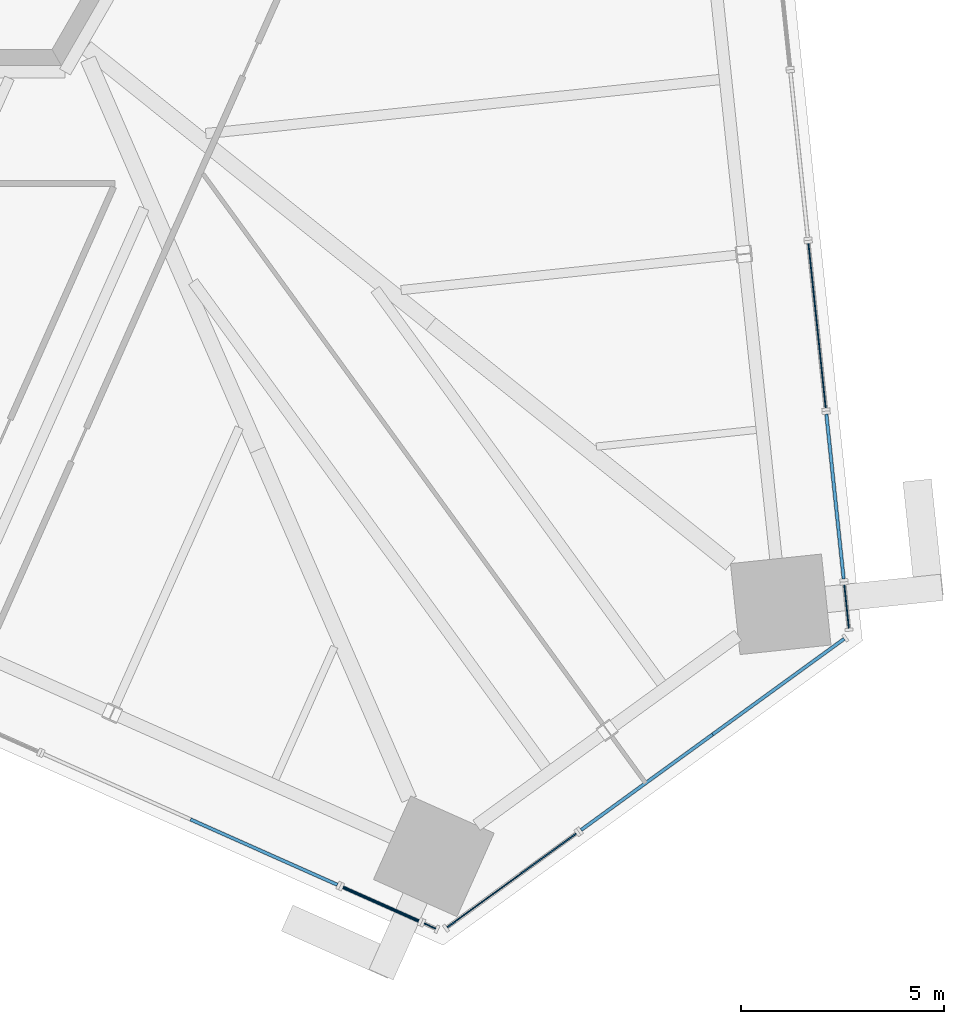
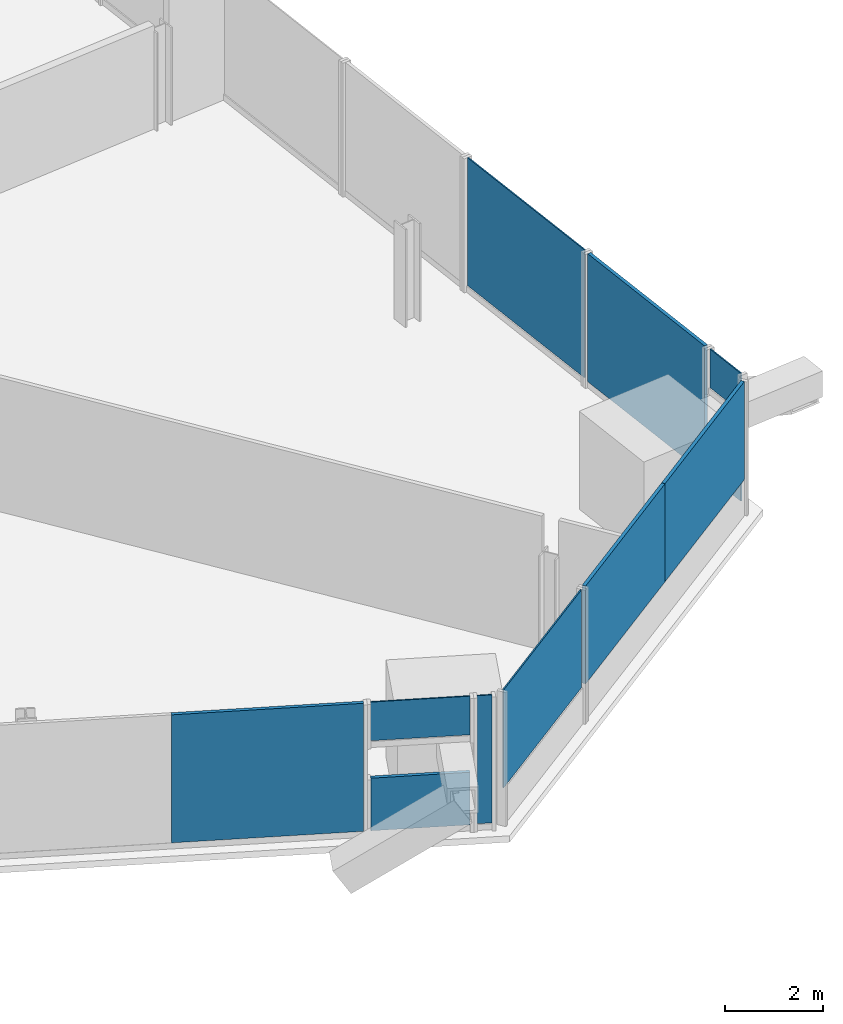
# One storey, part 13 of 25: 11 plates, 10 elements without a shape of their own.
"""IFC4 building model written with IfcOpenShell, lengths in metres."""

from ifc_helpers import new_model, si_unit, direction, frame, origin, origin_2d, place, context, subcontext, project, spatial, rectangle, extrude, source, transform, mapped, material, layer, layer_set, type_object, element, aggregate, save


model = new_model("IFC4")

# Units and contexts
model_context = context("Model", 3, precision=1e-05, world=origin(), true_north=direction((0.0, 1.0)))
body_context = subcontext(model_context, "Body", "Model", "MODEL_VIEW")
ifc_project = project(units=[si_unit("LENGTHUNIT", "METRE"), si_unit("AREAUNIT", "SQUARE_METRE"), si_unit("VOLUMEUNIT", "CUBIC_METRE"), si_unit("PLANEANGLEUNIT", "RADIAN"), si_unit("MASSUNIT", "GRAM", prefix="KILO")], contexts=[model_context])

# Site, building, storey
site_placement = place(None, origin())
site = spatial("IfcSite", under=ifc_project, at=site_placement, CompositionType="ELEMENT")
building_placement = place(site_placement, origin())
building = spatial("IfcBuilding", under=site, at=building_placement, Name="Triune Harvest Tower", CompositionType="ELEMENT")
storey_placement = place(building_placement, frame((0.0, 0.0, 90.89990234375)))
storey = spatial("IfcBuildingStorey", under=building, at=storey_placement, Name="L22", CompositionType="ELEMENT", Elevation=90.89990234375)

# Curtain wall, plate
ifc_material_1 = material(Name="Aluminium bronze anodised", Category="aluminium")
curtain_wall_type_1 = type_object("IfcCurtainWallType", Name="CW-6 Balcony window wall", PredefinedType="NOTDEFINED", material=ifc_material_1)
curtain_wall_1_placement = place(storey_placement, origin())
curtain_wall_1 = element("IfcCurtainWall", 1, at=curtain_wall_1_placement, inside=storey, type_object=curtain_wall_type_1, Name="CW-6 B2-F5 L22 run 202")
ifc_material_2 = material(Name="Glass", Category="glass")
ifc_layer_1 = layer(ifc_material_2, 0.030029296875)
ifc_layer_set_1 = layer_set([ifc_layer_1], Name="Glass")
plate_type_1 = type_object("IfcPlateType", Name="GL-6 panel 30", PredefinedType="CURTAIN_PANEL", material=ifc_layer_set_1)
plate_1_placement = place(storey_placement, frame((13.8583984375, -31.015869140625, 2.38525390625), z_axis=(0.0, 0.0, 1.0), x_axis=(0.913546137446, -0.40673511621, 0.0)))
plate_1 = element("IfcPlate", 2, at=plate_1_placement, type_object=plate_type_1, Name="CW-6 panel B2-F5 202.1", PredefinedType="CURTAIN_PANEL", context=body_context, shape_type="SweptSolid", body=[
    extrude(rectangle(XDim=2.042236328125, YDim=0.030029296875, at=origin_2d()), origin(), (0.0, 0.0, 1.0), 0.965087890625),
])
aggregate(curtain_wall_1, [plate_1])

curtain_wall_2_placement = place(storey_placement, origin())
curtain_wall_2 = element("IfcCurtainWall", 3, at=curtain_wall_2_placement, inside=storey, type_object=curtain_wall_type_1, Name="CW-6 B2-F5 L22 run 302")
plate_2_placement = place(storey_placement, frame((15.066162109375, -31.5537109375, 0.14990234375), z_axis=(0.0, 0.0, 1.0), x_axis=(0.913537564459, -0.406754370993, 0.0)))
plate_2 = element("IfcPlate", 4, at=plate_2_placement, type_object=plate_type_1, Name="CW-6 panel B2-F5 302.1", PredefinedType="CURTAIN_PANEL", context=body_context, shape_type="SweptSolid", body=[
    extrude(rectangle(XDim=0.3017578125, YDim=0.030029296875, at=origin_2d()), origin(), (0.0, 0.0, 1.0), 3.199951171875),
])
aggregate(curtain_wall_2, [plate_2])

ifc_material_3 = material(Name="Aluminium bronze anodised", Category="aluminium")
curtain_wall_type_2 = type_object("IfcCurtainWallType", Name="CW-10 Balcony window wall with insulated spandrel infill", PredefinedType="NOTDEFINED", material=ifc_material_3)
curtain_wall_3_placement = place(storey_placement, origin())
curtain_wall_3 = element("IfcCurtainWall", 5, at=curtain_wall_3_placement, inside=storey, type_object=curtain_wall_type_2, Name="CW-10 B2-F5 L22 run 102")
ifc_material_4 = material(Name="Insulated spandrel panel, bronze aluminium pan", Category="aluminium")
ifc_layer_2 = layer(ifc_material_4, 0.080078125)
ifc_layer_set_2 = layer_set([ifc_layer_2], Name="Insulated spandrel panel, bronze aluminium pan")
plate_type_2 = type_object("IfcPlateType", Name="SP-1 insulated spandrel panel 80", PredefinedType="CURTAIN_PANEL", material=ifc_layer_set_2)
plate_3_placement = place(storey_placement, frame((13.8583984375, -31.015869140625, 0.150146484375), z_axis=(0.0, 0.0, 1.0), x_axis=(0.913546137446, -0.40673511621, 0.0)))
plate_3 = element("IfcPlate", 6, at=plate_3_placement, type_object=plate_type_2, Name="CW-10 panel B2-F5 102.1", PredefinedType="CURTAIN_PANEL", context=body_context, shape_type="SweptSolid", body=[
    extrude(rectangle(XDim=2.042236328125, YDim=0.080078125, at=origin_2d()), origin(), (0.0, 0.0, 1.0), 1.31494140625),
])
aggregate(curtain_wall_3, [plate_3])

curtain_wall_4_placement = place(storey_placement, origin())
curtain_wall_4 = element("IfcCurtainWall", 7, at=curtain_wall_4_placement, inside=storey, type_object=curtain_wall_type_1, Name="CW-6 B2-F1 L22 run 1")
shared_shape_1 = source(origin(), body_context, "Body", "SweptSolid", [
    extrude(rectangle(XDim=1.07177734375, YDim=0.030029296875, at=origin_2d()), origin(), (0.0, 0.0, 1.0), 1.31494140625),
])
plate_4_placement = place(storey_placement, frame((25.313232421875, -23.696533203125, 0.150146484375), z_axis=(0.0, 0.0, 1.0), x_axis=(-0.104518622429, 0.994522929633, 0.0)))
plate_4 = element("IfcPlate", 8, at=plate_4_placement, type_object=plate_type_1, Name="CW-6 panel B2-F1 1.1", PredefinedType="CURTAIN_PANEL", context=body_context, shape_type="MappedRepresentation", body=[
    mapped(shared_shape_1, transform((0.0, 0.0, 0.0), scale=1.0)),
])
aggregate(curtain_wall_4, [plate_4])

curtain_wall_5_placement = place(storey_placement, origin())
curtain_wall_5 = element("IfcCurtainWall", 9, at=curtain_wall_5_placement, inside=storey, type_object=curtain_wall_type_1, Name="CW-6 B2-F1 L22 run 101")
shared_shape_2 = source(origin(), body_context, "Body", "SweptSolid", [
    extrude(rectangle(XDim=1.07177734375, YDim=0.030029296875, at=origin_2d()), origin(), (0.0, 0.0, 1.0), 0.965087890625),
])
plate_5_placement = place(storey_placement, frame((25.313232421875, -23.696533203125, 2.38525390625), z_axis=(0.0, 0.0, 1.0), x_axis=(-0.104518622429, 0.994522929633, 0.0)))
plate_5 = element("IfcPlate", 10, at=plate_5_placement, type_object=plate_type_1, Name="CW-6 panel B2-F1 101.1", PredefinedType="CURTAIN_PANEL", context=body_context, shape_type="MappedRepresentation", body=[
    mapped(shared_shape_2, transform((0.0, 0.0, 0.0), scale=1.0)),
])
aggregate(curtain_wall_5, [plate_5])

curtain_wall_6_placement = place(storey_placement, origin())
curtain_wall_6 = element("IfcCurtainWall", 11, at=curtain_wall_6_placement, inside=storey, type_object=curtain_wall_type_2, Name="CW-10 B2-F1 L22 run 201")
shared_shape_3 = source(origin(), body_context, "Body", "SweptSolid", [
    extrude(rectangle(XDim=4.0732421875, YDim=0.080078125, at=origin_2d()), origin(), (0.0, 0.0, 1.0), 3.199951171875),
])
plate_6_placement = place(storey_placement, frame((25.02880859375, -20.98876953125, 0.14990234375), z_axis=(0.0, 0.0, 1.0), x_axis=(-0.104517151815, 0.994523084185, 0.0)))
plate_6 = element("IfcPlate", 12, at=plate_6_placement, type_object=plate_type_2, Name="CW-10 panel B2-F1 201.1", PredefinedType="CURTAIN_PANEL", context=body_context, shape_type="MappedRepresentation", body=[
    mapped(shared_shape_3, transform((0.0, 0.0, 0.0), scale=1.0)),
])
aggregate(curtain_wall_6, [plate_6])

curtain_wall_7_placement = place(storey_placement, origin())
curtain_wall_7 = element("IfcCurtainWall", 13, at=curtain_wall_7_placement, inside=storey, type_object=curtain_wall_type_1, Name="CW-6 B2-F1 L22 run 1201")
shared_shape_4 = source(origin(), body_context, "Body", "SweptSolid", [
    extrude(rectangle(XDim=4.0732421875, YDim=0.030029296875, at=origin_2d()), origin(), (0.0, 0.0, 1.0), 3.199951171875),
])
plate_7_placement = place(storey_placement, frame((24.58740234375, -16.788818359375, 0.14990234375), z_axis=(0.0, 0.0, 1.0), x_axis=(-0.104540571631, 0.994520622653, 0.0)))
plate_7 = element("IfcPlate", 14, at=plate_7_placement, type_object=plate_type_1, Name="CW-6 panel B2-F1 1201.1", PredefinedType="CURTAIN_PANEL", context=body_context, shape_type="MappedRepresentation", body=[
    mapped(shared_shape_4, transform((0.0, 0.0, 0.0), scale=1.0)),
])
aggregate(curtain_wall_7, [plate_7])

ifc_material_5 = material(Name="Aluminium bronze anodised", Category="aluminium")
curtain_wall_type_3 = type_object("IfcCurtainWallType", Name="CW-1 Tower stick curtain wall", PredefinedType="NOTDEFINED", material=ifc_material_5)
curtain_wall_8_placement = place(storey_placement, origin())
curtain_wall_8 = element("IfcCurtainWall", 15, at=curtain_wall_8_placement, inside=storey, type_object=curtain_wall_type_3, Name="CW-1 B2-F6 L22 run 1")
ifc_material_6 = material(Name="Glass", Category="glass")
ifc_layer_3 = layer(ifc_material_6, 0.031982421875)
ifc_layer_set_3 = layer_set([ifc_layer_3], Name="Glass")
plate_type_3 = type_object("IfcPlateType", Name="GL-1 panel 32", PredefinedType="CURTAIN_PANEL", material=ifc_layer_set_3)
shared_shape_5 = source(origin(), body_context, "Body", "SweptSolid", [
    extrude(rectangle(XDim=3.92333984375, YDim=0.031982421875, at=origin_2d()), origin(), (0.0, 0.0, 1.0), 2.449951171875),
])
plate_8_placement = place(storey_placement, frame((17.0751953125, -30.43212890625, 0.89990234375), z_axis=(0.0, 0.0, 1.0), x_axis=(0.809010136269, 0.58779469155, 0.0)))
plate_8 = element("IfcPlate", 16, at=plate_8_placement, type_object=plate_type_3, Name="CW-1 panel B2-F6 1.1", PredefinedType="CURTAIN_PANEL", context=body_context, shape_type="MappedRepresentation", body=[
    mapped(shared_shape_5, transform((0.0, 0.0, 0.0), scale=1.0)),
])
aggregate(curtain_wall_8, [plate_8])

# Curtain wall, plates
ifc_material_7 = material(Name="Aluminium bronze anodised", Category="aluminium")
curtain_wall_type_4 = type_object("IfcCurtainWallType", Name="CW-7 Tower stick curtain wall with insulated spandrel infill", PredefinedType="NOTDEFINED", material=ifc_material_7)
curtain_wall_9_placement = place(storey_placement, origin())
curtain_wall_9 = element("IfcCurtainWall", 17, at=curtain_wall_9_placement, inside=storey, type_object=curtain_wall_type_4, Name="CW-7 B2-F6 L22 run 1001")
shared_shape_6 = source(origin(), body_context, "Body", "SweptSolid", [
    extrude(rectangle(XDim=3.998291015625, YDim=0.080078125, at=origin_2d()), origin(), (0.0, 0.0, 1.0), 2.449951171875),
])
plate_9_placement = place(storey_placement, frame((20.40087890625, -28.015869140625, 0.89990234375), z_axis=(0.0, 0.0, 1.0), x_axis=(0.809014785375, 0.587788292708, 0.0)))
plate_9 = element("IfcPlate", 18, at=plate_9_placement, type_object=plate_type_2, Name="CW-7 panel B2-F6 1001.1", PredefinedType="CURTAIN_PANEL", context=body_context, shape_type="MappedRepresentation", body=[
    mapped(shared_shape_6, transform((0.0, 0.0, 0.0), scale=1.0)),
])
plate_10_placement = place(storey_placement, frame((23.6357421875, -25.66552734375, 0.89990234375), z_axis=(0.0, 0.0, 1.0), x_axis=(0.809014785375, 0.587788292708, 0.0)))
plate_10 = element("IfcPlate", 19, at=plate_10_placement, type_object=plate_type_2, Name="CW-7 panel B2-F6 1001.2", PredefinedType="CURTAIN_PANEL", context=body_context, shape_type="MappedRepresentation", body=[
    mapped(shared_shape_6, transform((0.0, 0.0, 0.0), scale=1.0)),
])
aggregate(curtain_wall_9, [plate_9, plate_10])

# Curtain wall, plate
curtain_wall_10_placement = place(storey_placement, origin())
curtain_wall_10 = element("IfcCurtainWall", 20, at=curtain_wall_10_placement, inside=storey, type_object=curtain_wall_type_2, Name="CW-10 B2-F5 L22 run 3002")
shared_shape_7 = source(origin(), body_context, "Body", "SweptSolid", [
    extrude(rectangle(XDim=3.954833984375, YDim=0.080078125, at=origin_2d()), origin(), (0.0, 0.0, 1.0), 3.199951171875),
])
plate_11_placement = place(storey_placement, frame((10.98193359375, -29.7353515625, 0.14990234375), z_axis=(0.0, 0.0, 1.0), x_axis=(0.913546324813, -0.406734695374, 0.0)))
plate_11 = element("IfcPlate", 21, at=plate_11_placement, type_object=plate_type_2, Name="CW-10 panel B2-F5 3002.2", PredefinedType="CURTAIN_PANEL", context=body_context, shape_type="MappedRepresentation", body=[
    mapped(shared_shape_7, transform((0.0, 0.0, 0.0), scale=1.0)),
])
aggregate(curtain_wall_10, [plate_11])

save(model, "model.ifc")
